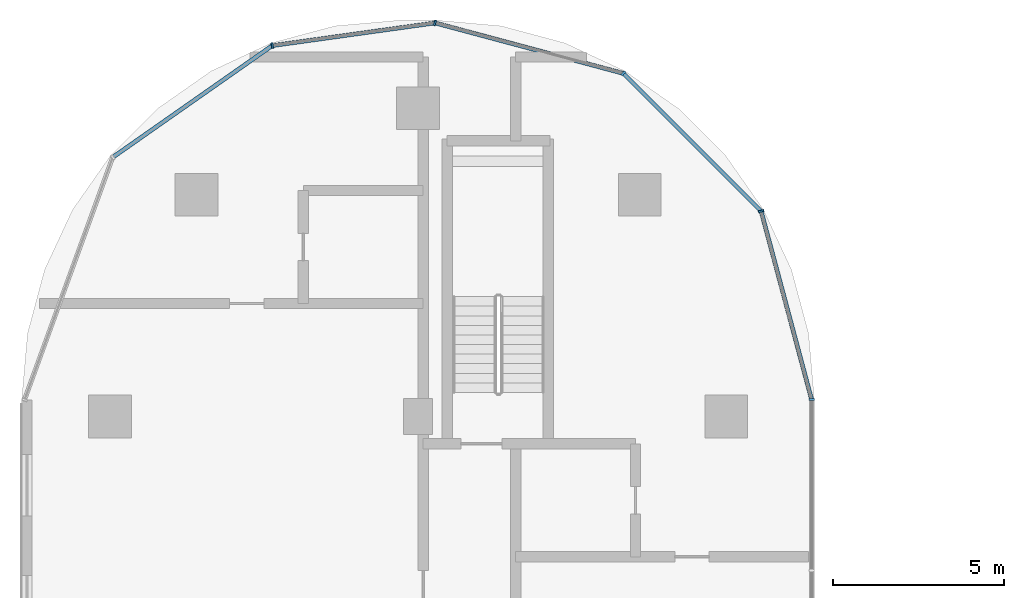
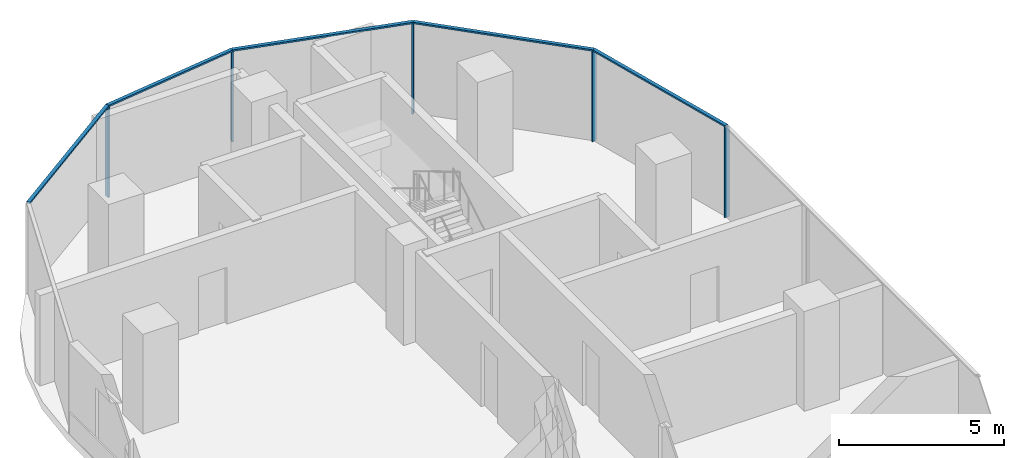
# One storey, part 7 of 23: 10 members, 2 elements without a shape of their own.
"""IFC4 building model written with IfcOpenShell, lengths in metres."""

from ifc_helpers import new_model, si_unit, direction, frame, origin, origin_2d, place, context, subcontext, project, spatial, rectangle, extrude, material, material_profile, profile_set, type_object, element, aggregate, save


model = new_model("IFC4")

# Units and contexts
model_context = context("Model", 3, precision=1e-05, world=origin(), true_north=direction((0.0, 1.0)))
body_context = subcontext(model_context, "Body", "Model", "MODEL_VIEW")
ifc_project = project(units=[si_unit("LENGTHUNIT", "METRE"), si_unit("AREAUNIT", "SQUARE_METRE"), si_unit("VOLUMEUNIT", "CUBIC_METRE"), si_unit("PLANEANGLEUNIT", "RADIAN"), si_unit("MASSUNIT", "GRAM", prefix="KILO")], contexts=[model_context])

# Site, building, storey
site_placement = place(None, origin())
site = spatial("IfcSite", under=ifc_project, at=site_placement, CompositionType="ELEMENT")
building_placement = place(site_placement, origin())
building = spatial("IfcBuilding", under=site, at=building_placement, Name="Ogive Portal Towers", CompositionType="ELEMENT")
storey_placement = place(building_placement, frame((0.0, 0.0, 120.39990234375)))
storey = spatial("IfcBuildingStorey", under=building, at=storey_placement, Name="L29", CompositionType="ELEMENT", Elevation=120.39990234375)

# Curtain wall, member
ifc_material_1 = material(Name="Glass, clear low-iron insulated glazing", Category="glass")
curtain_wall_type = type_object("IfcCurtainWallType", Name="CW FRONT RIBBON 4500", PredefinedType="NOTDEFINED", material=ifc_material_1)
curtain_wall_1_placement = place(storey_placement, origin())
curtain_wall_1 = element("IfcCurtainWall", 1, at=curtain_wall_1_placement, inside=storey, type_object=curtain_wall_type, Name="A:L29:f20:cw0", PredefinedType="NOTDEFINED")
ifc_material_2 = material(Name="Aluminium 6063 anodised", Category="aluminium")
ifc_material_profile_1 = material_profile(ifc_material_2, rectangle(XDim=0.159912109375, YDim=0.06005859375, at=origin_2d()), Name="AL 60x160")
ifc_profile_set_1 = profile_set([ifc_material_profile_1], Name="Aluminium 6063 anodised")
member_type_1 = type_object("IfcMemberType", Name="CW MULLION 60x160", PredefinedType="MULLION", material=ifc_profile_set_1)
member_1_placement = place(storey_placement, frame((51.9951171875, 66.989501953125, 0.0), z_axis=(0.0, 0.0, 1.0), x_axis=(-1.0, 0.0, 0.0)))
member_1 = element("IfcMember", 2, at=member_1_placement, type_object=member_type_1, Name="mullion", PredefinedType="MULLION", context=body_context, shape_type="SweptSolid", body=[
    extrude(rectangle(XDim=0.159912109375, YDim=0.06005859375, at=origin_2d()), origin(), (0.0, 0.0, 1.0), 3.340087890625),
])
aggregate(curtain_wall_1, [member_1])

# Curtain wall, members
curtain_wall_2_placement = place(storey_placement, origin())
curtain_wall_2 = element("IfcCurtainWall", 3, at=curtain_wall_2_placement, inside=storey, type_object=curtain_wall_type, Name="A:L29:f21:cwa", PredefinedType="NOTDEFINED")
member_2_placement = place(storey_placement, frame((50.51953125, 72.49609375, 0.0), z_axis=(0.0, 0.0, 1.0), x_axis=(-0.965925826289, -0.258819045103, 0.0)))
member_2 = element("IfcMember", 4, at=member_2_placement, type_object=member_type_1, Name="mullion", PredefinedType="MULLION", context=body_context, shape_type="SweptSolid", body=[
    extrude(rectangle(XDim=0.159912109375, YDim=0.06005859375, at=origin_2d()), origin(), (0.0, 0.0, 1.0), 3.340087890625),
])
member_3_placement = place(storey_placement, frame((46.49609375, 76.51953125, 0.0), z_axis=(0.0, 0.0, 1.0), x_axis=(-0.707106781187, -0.707106781187, 0.0)))
member_3 = element("IfcMember", 5, at=member_3_placement, type_object=member_type_1, Name="mullion", PredefinedType="MULLION", context=body_context, shape_type="SweptSolid", body=[
    extrude(rectangle(XDim=0.159912109375, YDim=0.06005859375, at=origin_2d()), origin(), (0.0, 0.0, 1.0), 3.340087890625),
])
member_4_placement = place(storey_placement, frame((40.994873046875, 77.993408203125, 0.0), z_axis=(0.0, 0.0, 1.0), x_axis=(-0.258819045103, -0.965925826289, 0.0)))
member_4 = element("IfcMember", 6, at=member_4_placement, type_object=member_type_1, Name="mullion", PredefinedType="MULLION", context=body_context, shape_type="SweptSolid", body=[
    extrude(rectangle(XDim=0.159912109375, YDim=0.06005859375, at=origin_2d()), origin(), (0.0, 0.0, 1.0), 3.340087890625),
])
member_5_placement = place(storey_placement, frame((36.2421875, 77.33056640625, 0.0), z_axis=(0.0, 0.0, 1.0), x_axis=(0.138161316467, -0.990409738761, 0.0)))
member_5 = element("IfcMember", 7, at=member_5_placement, type_object=member_type_1, Name="mullion", PredefinedType="MULLION", context=body_context, shape_type="SweptSolid", body=[
    extrude(rectangle(XDim=0.159912109375, YDim=0.06005859375, at=origin_2d()), origin(), (0.0, 0.0, 1.0), 3.340087890625),
])
ifc_material_profile_2 = material_profile(ifc_material_2, rectangle(XDim=0.1201171875, YDim=0.06005859375, at=origin_2d()), Name="AL 120x60")
ifc_profile_set_2 = profile_set([ifc_material_profile_2], Name="Aluminium 6063 anodised")
member_type_2 = type_object("IfcMemberType", Name="CW TRANSOM 60x120", PredefinedType="USERDEFINED", material=ifc_profile_set_2)
member_6_placement = place(storey_placement, frame((51.9951171875, 66.989501953125, 3.3701171875), z_axis=(-0.258835265962, 0.965921479777, 0.0), x_axis=(-0.965921479777, -0.258835265962, 0.0)))
member_6 = element("IfcMember", 8, at=member_6_placement, type_object=member_type_2, Name="transom", ObjectType="TRANSOM", PredefinedType="USERDEFINED", context=body_context, shape_type="SweptSolid", body=[
    extrude(rectangle(XDim=0.1201171875, YDim=0.06005859375, at=origin_2d()), origin(), (0.0, 0.0, 1.0), 5.700927734375),
])
member_7_placement = place(storey_placement, frame((50.51953125, 72.49609375, 3.3701171875), z_axis=(-0.707106781187, 0.707106781187, 0.0), x_axis=(-0.707106781187, -0.707106781187, 0.0)))
member_7 = element("IfcMember", 9, at=member_7_placement, type_object=member_type_2, Name="transom", ObjectType="TRANSOM", PredefinedType="USERDEFINED", context=body_context, shape_type="SweptSolid", body=[
    extrude(rectangle(XDim=0.1201171875, YDim=0.06005859375, at=origin_2d()), origin(), (0.0, 0.0, 1.0), 5.68994140625),
])
member_8_placement = place(storey_placement, frame((46.49609375, 76.51953125, 3.3701171875), z_axis=(-0.96593331862, 0.258791081725, 0.0), x_axis=(-0.258791081725, -0.96593331862, 0.0)))
member_8 = element("IfcMember", 10, at=member_8_placement, type_object=member_type_2, Name="transom", ObjectType="TRANSOM", PredefinedType="USERDEFINED", context=body_context, shape_type="SweptSolid", body=[
    extrude(rectangle(XDim=0.1201171875, YDim=0.06005859375, at=origin_2d()), origin(), (0.0, 0.0, 1.0), 5.6953125),
])
member_9_placement = place(storey_placement, frame((40.994873046875, 77.993408203125, 3.3701171875), z_axis=(-0.990414123812, -0.138129878571, 0.0), x_axis=(0.138129878571, -0.990414123812, 0.0)))
member_9 = element("IfcMember", 11, at=member_9_placement, type_object=member_type_2, Name="transom", ObjectType="TRANSOM", PredefinedType="USERDEFINED", context=body_context, shape_type="SweptSolid", body=[
    extrude(rectangle(XDim=0.1201171875, YDim=0.06005859375, at=origin_2d()), origin(), (0.0, 0.0, 1.0), 4.798583984375),
])
member_10_placement = place(storey_placement, frame((36.2421875, 77.33056640625, 3.3701171875), z_axis=(-0.819155292405, -0.573571797532, 0.0), x_axis=(0.573571797532, -0.819155292405, 0.0)))
member_10 = element("IfcMember", 12, at=member_10_placement, type_object=member_type_2, Name="transom", ObjectType="TRANSOM", PredefinedType="USERDEFINED", context=body_context, shape_type="SweptSolid", body=[
    extrude(rectangle(XDim=0.1201171875, YDim=0.06005859375, at=origin_2d()), origin(), (0.0, 0.0, 1.0), 5.6884765625),
])
aggregate(curtain_wall_2, [member_6, member_7, member_8, member_9, member_10, member_2, member_3, member_4, member_5])

save(model, "model.ifc")
